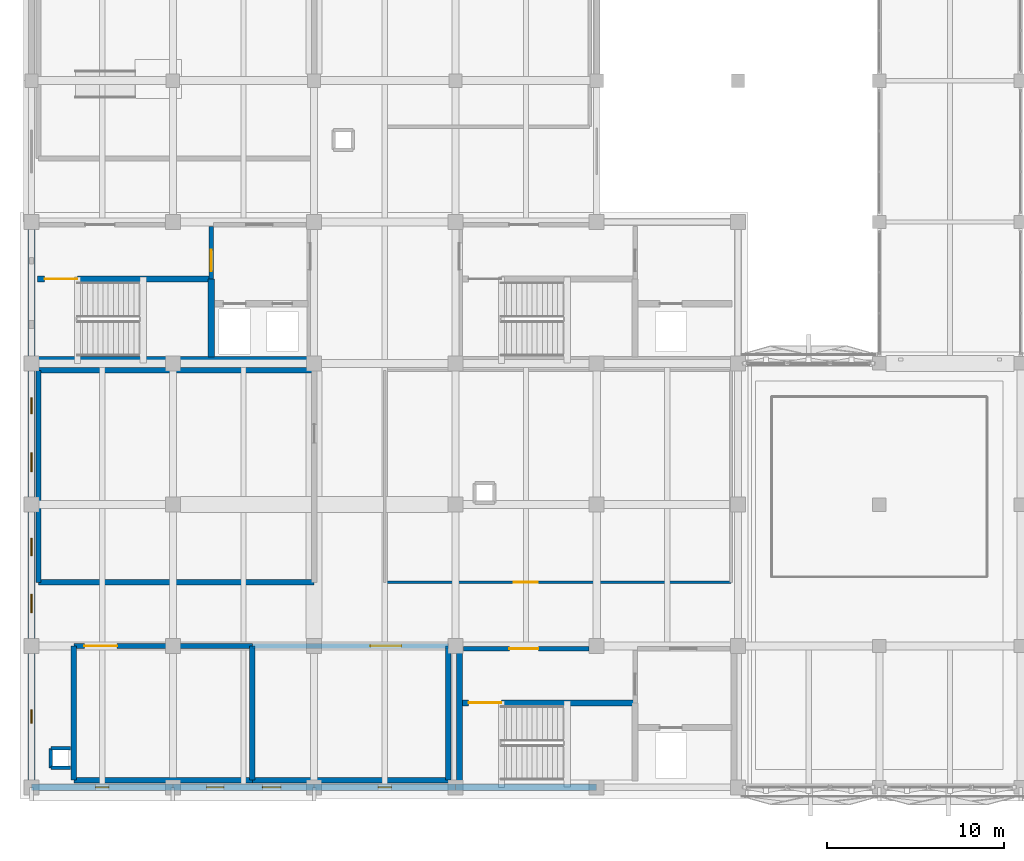
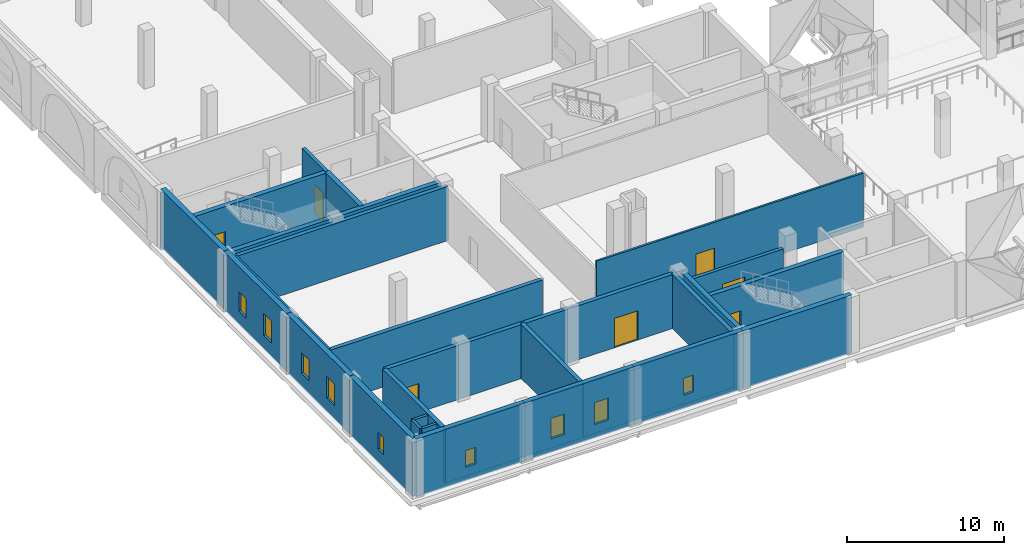
# One storey, part 27 of 53: 29 walls, 9 windows, 7 doors, 16 openings.
"""IFC4 building model written with IfcOpenShell, lengths in metres."""

from ifc_helpers import new_model, si_unit, direction, frame, frame_2d, origin, place, context, subcontext, project, spatial, rectangle, extrude, material, layer, layer_set, type_object, element, fill, save


model = new_model("IFC4")

# Units and contexts
model_context = context("Model", 3, precision=1e-05, world=origin(), true_north=direction((0.0, 1.0)))
body_context = subcontext(model_context, "Body", "Model", "MODEL_VIEW")
ifc_project = project(units=[si_unit("LENGTHUNIT", "METRE"), si_unit("AREAUNIT", "SQUARE_METRE"), si_unit("VOLUMEUNIT", "CUBIC_METRE"), si_unit("PLANEANGLEUNIT", "RADIAN"), si_unit("MASSUNIT", "GRAM", prefix="KILO")], contexts=[model_context])

# Site, building, storey
site_placement = place(None, origin())
site = spatial("IfcSite", under=ifc_project, at=site_placement, CompositionType="ELEMENT")
building_placement = place(site_placement, origin())
building = spatial("IfcBuilding", under=site, at=building_placement, Name="Qorikala Patio Media Centre", CompositionType="ELEMENT")
storey_placement = place(building_placement, frame((0.0, 0.0, 5.39990234375)))
storey = spatial("IfcBuildingStorey", under=building, at=storey_placement, Name="L01", CompositionType="ELEMENT", Elevation=5.39990234375)

# Walls
ifc_material_1 = material(Name="Concrete C35/45", Category="concrete")
ifc_layer_1 = layer(ifc_material_1, 0.300048828125)
ifc_layer_set_1 = layer_set([ifc_layer_1], Name="Concrete C35/45")
wall_type_1 = type_object("IfcWallType", Name="WL-AC-300", PredefinedType="SHEAR", material=ifc_layer_set_1)
wall_1_placement = place(storey_placement, frame((5.39990234375, 3.39990234375, 0.0), z_axis=(0.0, 0.0, 1.0), x_axis=(1.0, 0.0, 0.0)))
element("IfcWall", 1, at=wall_1_placement, inside=storey, type_object=wall_type_1, Name="L01 Interior Wall WINT-L01-UTR1-S", PredefinedType="SHEAR", context=body_context, shape_type="SweptSolid", body=[
    extrude(rectangle(XDim=10.10009765625, YDim=0.300048828125, at=frame_2d((5.050048828125, 0.0))), origin(), (0.0, 0.0, 1.0), 4.2001953125),
])
wall_2_placement = place(storey_placement, frame((15.5, 3.39990234375, 0.0), z_axis=(0.0, 0.0, 1.0), x_axis=(0.0, 1.0, 0.0)))
element("IfcWall", 2, at=wall_2_placement, inside=storey, type_object=wall_type_1, Name="L01 Interior Wall WINT-L01-UTR1-E", PredefinedType="SHEAR", context=body_context, shape_type="SweptSolid", body=[
    extrude(rectangle(XDim=7.60009765625, YDim=0.300048828125, at=frame_2d((3.800048828125, 0.0))), origin(), (0.0, 0.0, 1.0), 4.2001953125),
])

# Wall, opening, door
wall_3_placement = place(storey_placement, frame((5.39990234375, 11.0, 0.0), z_axis=(0.0, 0.0, 1.0), x_axis=(1.0, 0.0, 0.0)))
wall_3 = element("IfcWall", 3, at=wall_3_placement, inside=storey, type_object=wall_type_1, Name="L01 Interior Wall WINT-L01-UTR1-N", PredefinedType="SHEAR", context=body_context, shape_type="SweptSolid", body=[
    extrude(rectangle(XDim=10.10009765625, YDim=0.300048828125, at=frame_2d((5.050048828125, 0.0))), origin(), (0.0, 0.0, 1.0), 4.2001953125),
])
opening_1_placement = place(wall_3_placement, frame((0.60107421875, 0.0, 0.0)))
opening_1 = element("IfcOpeningElement", 4, at=opening_1_placement, cuts=wall_3, Name="Opening D249", PredefinedType="OPENING", context=body_context, shape_type="SweptSolid", body=[
    extrude(rectangle(XDim=1.85009765625, YDim=2.25, at=frame_2d((0.925048828125, 1.125))), frame((0.0, 0.159912109375, 0.0), z_axis=(0.0, -1.0, 0.0), x_axis=(1.0, 0.0, 0.0)), (0.0, 0.0, 1.0), 0.320068359375),
])
ifc_material_2 = material(Name="Powder-Coated Acoustic Fire Steel", Category="steel")
door_type_1 = type_object("IfcDoorType", Name="DR-FD60-185X225", OperationType="DOUBLE_DOOR_SINGLE_SWING", PredefinedType="DOOR", material=ifc_material_2)
door_1_placement = place(opening_1_placement, origin())
door_1 = element("IfcDoor", 5, at=door_1_placement, inside=storey, type_object=door_type_1, Name="Screen 1 Upper Seating Tier Door 038", OperationType="DOUBLE_DOOR_SINGLE_SWING", OverallHeight=2.25, OverallWidth=1.85009765625, PredefinedType="DOOR", context=body_context, shape_type="SweptSolid", body=[
    extrude(rectangle(XDim=1.85009765625, YDim=2.25, at=frame_2d((0.925048828125, 1.125))), frame((0.0, 0.02490234375, 0.0), z_axis=(0.0, -1.0, 0.0), x_axis=(1.0, 0.0, 0.0)), (0.0, 0.0, 1.0), 0.050048828125),
])
fill(opening_1, door_1)

# Walls
wall_4_placement = place(storey_placement, frame((5.39990234375, 3.39990234375, 0.0), z_axis=(0.0, 0.0, 1.0), x_axis=(0.0, 1.0, 0.0)))
element("IfcWall", 6, at=wall_4_placement, inside=storey, type_object=wall_type_1, Name="L01 Interior Wall WINT-L01-UTR1-W", PredefinedType="SHEAR", context=body_context, shape_type="SweptSolid", body=[
    extrude(rectangle(XDim=7.60009765625, YDim=0.300048828125, at=frame_2d((3.800048828125, 0.0))), origin(), (0.0, 0.0, 1.0), 4.2001953125),
])
wall_5_placement = place(storey_placement, frame((15.5, 3.39990234375, 0.0), z_axis=(0.0, 0.0, 1.0), x_axis=(1.0, 0.0, 0.0)))
element("IfcWall", 7, at=wall_5_placement, inside=storey, type_object=wall_type_1, Name="L01 Interior Wall WINT-L01-UTR2-S", PredefinedType="SHEAR", context=body_context, shape_type="SweptSolid", body=[
    extrude(rectangle(XDim=11.10009765625, YDim=0.300048828125, at=frame_2d((5.550048828125, 0.0))), origin(), (0.0, 0.0, 1.0), 4.2001953125),
])
wall_6_placement = place(storey_placement, frame((26.60009765625, 3.39990234375, 0.0), z_axis=(0.0, 0.0, 1.0), x_axis=(0.0, 1.0, 0.0)))
element("IfcWall", 8, at=wall_6_placement, inside=storey, type_object=wall_type_1, Name="L01 Interior Wall WINT-L01-UTR2-E", PredefinedType="SHEAR", context=body_context, shape_type="SweptSolid", body=[
    extrude(rectangle(XDim=7.60009765625, YDim=0.300048828125, at=frame_2d((3.800048828125, 0.0))), origin(), (0.0, 0.0, 1.0), 4.2001953125),
])

# Wall, opening, door
wall_7_placement = place(storey_placement, frame((15.5, 11.0, 0.0), z_axis=(0.0, 0.0, 1.0), x_axis=(1.0, 0.0, 0.0)))
wall_7 = element("IfcWall", 9, at=wall_7_placement, inside=storey, type_object=wall_type_1, Name="L01 Interior Wall WINT-L01-UTR2-N", PredefinedType="SHEAR", context=body_context, shape_type="SweptSolid", body=[
    extrude(rectangle(XDim=11.10009765625, YDim=0.300048828125, at=frame_2d((5.550048828125, 0.0))), origin(), (0.0, 0.0, 1.0), 4.2001953125),
])
opening_2_placement = place(wall_7_placement, frame((6.68701171875, 0.0, 0.0)))
opening_2 = element("IfcOpeningElement", 10, at=opening_2_placement, cuts=wall_7, Name="Opening D250", PredefinedType="OPENING", context=body_context, shape_type="SweptSolid", body=[
    extrude(rectangle(XDim=1.75, YDim=2.280029296875, at=frame_2d((0.875, 1.14013671875))), frame((0.0, 0.159912109375, 0.0), z_axis=(0.0, -1.0, 0.0), x_axis=(1.0, 0.0, 0.0)), (0.0, 0.0, 1.0), 0.320068359375),
])
door_type_2 = type_object("IfcDoorType", Name="DR-FD60-175X228", OperationType="DOUBLE_DOOR_SINGLE_SWING", PredefinedType="DOOR", material=ifc_material_2)
door_2_placement = place(opening_2_placement, origin())
door_2 = element("IfcDoor", 11, at=door_2_placement, inside=storey, type_object=door_type_2, Name="Screen 2 Upper Seating Tier Door 039", OperationType="DOUBLE_DOOR_SINGLE_SWING", OverallHeight=2.280029296875, OverallWidth=1.75, PredefinedType="DOOR", context=body_context, shape_type="SweptSolid", body=[
    extrude(rectangle(XDim=1.75, YDim=2.280029296875, at=frame_2d((0.875, 1.14013671875))), frame((0.0, 0.02490234375, 0.0), z_axis=(0.0, -1.0, 0.0), x_axis=(1.0, 0.0, 0.0)), (0.0, 0.0, 1.0), 0.050048828125),
])
fill(opening_2, door_2)

# Walls
for number, where, z_axis, x_axis, name in (
    (12, (3.39990234375, 14.60009765625, 0.0), (0.0, 0.0, 1.0), (1.0, 0.0, 0.0), "L01 Interior Wall WINT-L01-PRJ1-S"),
    (13, (3.39990234375, 26.60009765625, 0.0), (0.0, 0.0, 1.0), (1.0, 0.0, 0.0), "L01 Interior Wall WINT-L01-PRJ1-N"),
):
    element("IfcWall", number, at=place(storey_placement, frame(where, z_axis=z_axis, x_axis=x_axis)), inside=storey, type_object=wall_type_1, Name=name, PredefinedType="SHEAR", context=body_context, shape_type="SweptSolid", body=[
        extrude(rectangle(XDim=15.60009765625, YDim=0.300048828125, at=frame_2d((7.800048828125, 0.0))), origin(), (0.0, 0.0, 1.0), 4.2001953125),
    ])
wall_8_placement = place(storey_placement, frame((3.39990234375, 14.60009765625, 0.0), z_axis=(0.0, 0.0, 1.0), x_axis=(0.0, 1.0, 0.0)))
element("IfcWall", 14, at=wall_8_placement, inside=storey, type_object=wall_type_1, Name="L01 Interior Wall WINT-L01-PRJ1-W", PredefinedType="SHEAR", context=body_context, shape_type="SweptSolid", body=[
    extrude(rectangle(XDim=12.0, YDim=0.300048828125, at=frame_2d((6.0, 0.0))), origin(), (0.0, 0.0, 1.0), 4.2001953125),
])
ifc_layer_2 = layer(ifc_material_1, 0.35009765625)
ifc_layer_set_2 = layer_set([ifc_layer_2], Name="Concrete C35/45")
wall_type_2 = type_object("IfcWallType", Name="WL-CORE-350", PredefinedType="SHEAR", material=ifc_layer_set_2)
wall_9_placement = place(storey_placement, frame((27.22509765625, 3.199951171875, 0.0), z_axis=(0.0, 0.0, 1.0), x_axis=(0.0, 1.0, 0.0)))
element("IfcWall", 15, at=wall_9_placement, inside=storey, type_object=wall_type_2, Name="L01 Interior Wall CW-L01-C1-SW", PredefinedType="SHEAR", context=body_context, shape_type="SweptSolid", body=[
    extrude(rectangle(XDim=7.60009765625, YDim=0.35009765625, at=frame_2d((3.800048828125, 0.0))), origin(), (0.0, 0.0, 1.0), 4.2001953125),
])

# Wall, opening, door
wall_10_placement = place(storey_placement, frame((27.35009765625, 7.77490234375, 0.0), z_axis=(0.0, 0.0, 1.0), x_axis=(1.0, 0.0, 0.0)))
wall_10 = element("IfcWall", 16, at=wall_10_placement, inside=storey, type_object=wall_type_2, Name="L01 Interior Wall CW-L01-C1-SN", PredefinedType="SHEAR", context=body_context, shape_type="SweptSolid", body=[
    extrude(rectangle(XDim=9.824951171875, YDim=0.35009765625, at=frame_2d((4.91259765625, 0.0))), origin(), (0.0, 0.0, 1.0), 4.2001953125),
])
opening_3_placement = place(wall_10_placement, frame((0.39990234375, 0.0, 0.0)))
opening_3 = element("IfcOpeningElement", 17, at=opening_3_placement, cuts=wall_10, Name="Opening D031", PredefinedType="OPENING", context=body_context, shape_type="SweptSolid", body=[
    extrude(rectangle(XDim=1.85009765625, YDim=2.25, at=frame_2d((0.925048828125, 1.125))), frame((0.0, 0.18505859375, 0.0), z_axis=(0.0, -1.0, 0.0), x_axis=(1.0, 0.0, 0.0)), (0.0, 0.0, 1.0), 0.3701171875),
])
door_3_placement = place(opening_3_placement, origin())
door_3 = element("IfcDoor", 18, at=door_3_placement, inside=storey, type_object=door_type_1, Name="L01 Stair ST-1 Fire Door", OperationType="DOUBLE_DOOR_SINGLE_SWING", OverallHeight=2.25, OverallWidth=1.85009765625, PredefinedType="DOOR", context=body_context, shape_type="SweptSolid", body=[
    extrude(rectangle(XDim=1.85009765625, YDim=2.25, at=frame_2d((0.925048828125, 1.125))), frame((0.0, 0.02490234375, 0.0), z_axis=(0.0, -1.0, 0.0), x_axis=(1.0, 0.0, 0.0)), (0.0, 0.0, 1.0), 0.050048828125),
])
fill(opening_3, door_3)

# Walls
wall_11_placement = place(storey_placement, frame((3.199951171875, 27.22509765625, 0.0), z_axis=(0.0, 0.0, 1.0), x_axis=(1.0, 0.0, 0.0)))
element("IfcWall", 19, at=wall_11_placement, inside=storey, type_object=wall_type_2, Name="L01 Core C2 Stair South Wall", PredefinedType="SHEAR", context=body_context, shape_type="SweptSolid", body=[
    extrude(rectangle(XDim=15.60009765625, YDim=0.35009765625, at=frame_2d((7.800048828125, 0.0))), origin(), (0.0, 0.0, 1.0), 4.2001953125),
])
wall_12_placement = place(storey_placement, frame((13.175048828125, 27.35009765625, 0.0), z_axis=(0.0, 0.0, 1.0), x_axis=(0.0, 1.0, 0.0)))
element("IfcWall", 20, at=wall_12_placement, inside=storey, type_object=wall_type_2, Name="L01 Interior Wall CW-L01-C2-SE", PredefinedType="SHEAR", context=body_context, shape_type="SweptSolid", body=[
    extrude(rectangle(XDim=4.4248046875, YDim=0.35009765625, at=frame_2d((2.21240234375, 0.0))), origin(), (0.0, 0.0, 1.0), 4.2001953125),
])

# Wall, opening, door
wall_13_placement = place(storey_placement, frame((3.35009765625, 31.77490234375, 0.0), z_axis=(0.0, 0.0, 1.0), x_axis=(1.0, 0.0, 0.0)))
wall_13 = element("IfcWall", 21, at=wall_13_placement, inside=storey, type_object=wall_type_2, Name="L01 Interior Wall CW-L01-C2-SN", PredefinedType="SHEAR", context=body_context, shape_type="SweptSolid", body=[
    extrude(rectangle(XDim=9.824951171875, YDim=0.35009765625, at=frame_2d((4.91259765625, 0.0))), origin(), (0.0, 0.0, 1.0), 4.2001953125),
])
opening_4_placement = place(wall_13_placement, frame((0.39990234375, 0.0, 0.0)))
opening_4 = element("IfcOpeningElement", 22, at=opening_4_placement, cuts=wall_13, Name="Opening D065", PredefinedType="OPENING", context=body_context, shape_type="SweptSolid", body=[
    extrude(rectangle(XDim=1.85009765625, YDim=2.25, at=frame_2d((0.925048828125, 1.125))), frame((0.0, 0.18505859375, 0.0), z_axis=(0.0, -1.0, 0.0), x_axis=(1.0, 0.0, 0.0)), (0.0, 0.0, 1.0), 0.3701171875),
])
door_4_placement = place(opening_4_placement, origin())
door_4 = element("IfcDoor", 23, at=door_4_placement, inside=storey, type_object=door_type_1, Name="L01 Stair ST-2 Fire Door", OperationType="DOUBLE_DOOR_SINGLE_SWING", OverallHeight=2.25, OverallWidth=1.85009765625, PredefinedType="DOOR", context=body_context, shape_type="SweptSolid", body=[
    extrude(rectangle(XDim=1.85009765625, YDim=2.25, at=frame_2d((0.925048828125, 1.125))), frame((0.0, 0.02490234375, 0.0), z_axis=(0.0, -1.0, 0.0), x_axis=(1.0, 0.0, 0.0)), (0.0, 0.0, 1.0), 0.050048828125),
])
fill(opening_4, door_4)

ifc_layer_3 = layer(ifc_material_1, 0.25)
ifc_layer_set_3 = layer_set([ifc_layer_3], Name="Concrete C35/45")
wall_type_3 = type_object("IfcWallType", Name="WL-FFL-250", PredefinedType="PARTITIONING", material=ifc_layer_set_3)
wall_14_placement = place(storey_placement, frame((27.449951171875, 10.85009765625, 0.0), z_axis=(0.0, 0.0, 1.0), x_axis=(1.0, 0.0, 0.0)))
wall_14 = element("IfcWall", 24, at=wall_14_placement, inside=storey, type_object=wall_type_3, Name="L01 Interior Wall CW-L01-C1-CN1", PredefinedType="PARTITIONING", context=body_context, shape_type="SweptSolid", body=[
    extrude(rectangle(XDim=7.10009765625, YDim=0.25, at=frame_2d((3.550048828125, 0.0))), origin(), (0.0, 0.0, 1.0), 3.43505859375),
])
opening_5_placement = place(wall_14_placement, frame((2.60009765625, 0.0, 0.0)))
opening_5 = element("IfcOpeningElement", 25, at=opening_5_placement, cuts=wall_14, Name="Opening D033", PredefinedType="OPENING", context=body_context, shape_type="SweptSolid", body=[
    extrude(rectangle(XDim=1.64990234375, YDim=2.25, at=frame_2d((0.824951171875, 1.125))), frame((0.0, 0.135009765625, 0.0), z_axis=(0.0, -1.0, 0.0), x_axis=(1.0, 0.0, 0.0)), (0.0, 0.0, 1.0), 0.27001953125),
])
door_type_3 = type_object("IfcDoorType", Name="DR-FD60-165X225", OperationType="DOUBLE_DOOR_SINGLE_SWING", PredefinedType="DOOR", material=ifc_material_2)
door_5_placement = place(opening_5_placement, frame((1.64990234375, 0.0, 0.0), z_axis=(0.0, 0.0, 1.0), x_axis=(-1.0, 0.0, 0.0)))
door_5 = element("IfcDoor", 26, at=door_5_placement, inside=storey, type_object=door_type_3, Name="L01 Core C1 Vestibule Door", OperationType="DOUBLE_DOOR_SINGLE_SWING", OverallHeight=2.25, OverallWidth=1.64990234375, PredefinedType="DOOR", context=body_context, shape_type="SweptSolid", body=[
    extrude(rectangle(XDim=1.64990234375, YDim=2.25, at=frame_2d((0.824951171875, 1.125))), frame((0.0, 0.02490234375, 0.0), z_axis=(0.0, -1.0, 0.0), x_axis=(1.0, 0.0, 0.0)), (0.0, 0.0, 1.0), 0.050048828125),
])
fill(opening_5, door_5)

wall_15_placement = place(storey_placement, frame((13.175048828125, 31.77490234375, 0.0), z_axis=(0.0, 0.0, 1.0), x_axis=(0.0, 1.0, 0.0)))
wall_15 = element("IfcWall", 27, at=wall_15_placement, inside=storey, type_object=wall_type_3, Name="L01 Interior Wall CW-L01-C2-LBD", PredefinedType="PARTITIONING", context=body_context, shape_type="SweptSolid", body=[
    extrude(rectangle(XDim=2.97509765625, YDim=0.25, at=frame_2d((1.487548828125, 0.0))), origin(), (0.0, 0.0, 1.0), 4.2001953125),
])
opening_6_placement = place(wall_15_placement, frame((0.449951171875, 0.0, 0.0)))
opening_6 = element("IfcOpeningElement", 28, at=opening_6_placement, cuts=wall_15, Name="Opening D066", PredefinedType="OPENING", context=body_context, shape_type="SweptSolid", body=[
    extrude(rectangle(XDim=1.199951171875, YDim=2.199951171875, at=frame_2d((0.60009765625, 1.10009765625))), frame((0.0, 0.135009765625, 0.0), z_axis=(0.0, -1.0, 0.0), x_axis=(1.0, 0.0, 0.0)), (0.0, 0.0, 1.0), 0.27001953125),
])
ifc_material_3 = material(Name="Acoustic Fire Timber and Steel", Category="steel")
door_type_4 = type_object("IfcDoorType", Name="DR-FD60-120X220", OperationType="NOTDEFINED", PredefinedType="DOOR", material=ifc_material_3)
door_6_placement = place(opening_6_placement, origin())
door_6 = element("IfcDoor", 29, at=door_6_placement, inside=storey, type_object=door_type_4, Name="L01 Core C2 Firefighting Lobby Cross Door", OperationType="SINGLE_SWING_LEFT", OverallHeight=2.199951171875, OverallWidth=1.199951171875, PredefinedType="DOOR", context=body_context, shape_type="SweptSolid", body=[
    extrude(rectangle(XDim=1.199951171875, YDim=2.199951171875, at=frame_2d((0.60009765625, 1.10009765625))), frame((0.0, 0.02490234375, 0.0), z_axis=(0.0, -1.0, 0.0), x_axis=(1.0, 0.0, 0.0)), (0.0, 0.0, 1.0), 0.050048828125),
])
fill(opening_6, door_6)

ifc_material_4 = material(Name="Acoustic Gypsum Stud Partition")
ifc_layer_4 = layer(ifc_material_4, 0.14990234375)
ifc_layer_set_4 = layer_set([ifc_layer_4], Name="Acoustic Gypsum Stud Partition")
wall_type_4 = type_object("IfcWallType", Name="WL-PT-150", PredefinedType="PARTITIONING", material=ifc_layer_set_4)
wall_16_placement = place(storey_placement, frame((23.0, 14.60009765625, 0.0), z_axis=(0.0, 0.0, 1.0), x_axis=(1.0, 0.0, 0.0)))
wall_16 = element("IfcWall", 30, at=wall_16_placement, inside=storey, type_object=wall_type_4, Name="L01 Interior Wall WINT-L01-ED10-S", PredefinedType="PARTITIONING", context=body_context, shape_type="SweptSolid", body=[
    extrude(rectangle(XDim=19.60009765625, YDim=0.14990234375, at=frame_2d((9.800048828125, 0.0))), origin(), (0.0, 0.0, 1.0), 4.2001953125),
])
opening_7_placement = place(wall_16_placement, frame((7.31494140625, 0.0, 0.0)))
opening_7 = element("IfcOpeningElement", 31, at=opening_7_placement, cuts=wall_16, Name="Opening D252", PredefinedType="OPENING", context=body_context, shape_type="SweptSolid", body=[
    extrude(rectangle(XDim=1.35009765625, YDim=2.199951171875, at=frame_2d((0.675048828125, 1.10009765625))), frame((0.0, 0.0849609375, 0.0), z_axis=(0.0, -1.0, 0.0), x_axis=(1.0, 0.0, 0.0)), (0.0, 0.0, 1.0), 0.169921875),
])
ifc_material_5 = material(Name="Acoustic Oak Veneer Timber", Category="wood")
door_type_5 = type_object("IfcDoorType", Name="DR-IN-135X220", OperationType="NOTDEFINED", PredefinedType="DOOR", material=ifc_material_5)
door_7_placement = place(opening_7_placement, origin())
door_7 = element("IfcDoor", 32, at=door_7_placement, inside=storey, type_object=door_type_5, Name="Editing Suite 100 Door 041", OperationType="SINGLE_SWING_LEFT", OverallHeight=2.199951171875, OverallWidth=1.35009765625, PredefinedType="DOOR", context=body_context, shape_type="SweptSolid", body=[
    extrude(rectangle(XDim=1.35009765625, YDim=2.199951171875, at=frame_2d((0.675048828125, 1.10009765625))), frame((0.0, 0.02490234375, 0.0), z_axis=(0.0, -1.0, 0.0), x_axis=(1.0, 0.0, 0.0)), (0.0, 0.0, 1.0), 0.050048828125),
])
fill(opening_7, door_7)

# Walls
ifc_material_6 = material(Name="Acoustic Masonry and Plaster Concrete C30/37", Category="masonry")
ifc_layer_5 = layer(ifc_material_6, 0.199951171875)
ifc_layer_set_5 = layer_set([ifc_layer_5], Name="Acoustic Masonry and Plaster Concrete C30/37")
wall_type_5 = type_object("IfcWallType", Name="WL-ST-200", PredefinedType="PARTITIONING", material=ifc_layer_set_5)
for number, where, z_axis, x_axis, name in (
    (33, (4.10009765625, 4.10009765625, 0.0), (0.0, 0.0, 1.0), (1.0, 0.0, 0.0), "L01 Interior Wall RSW-1-L01-S"),
    (34, (4.10009765625, 5.199951171875, 0.0), (0.0, 0.0, 1.0), (1.0, 0.0, 0.0), "L01 Interior Wall RSW-1-L01-N"),
    (35, (4.10009765625, 4.10009765625, 0.0), (0.0, 0.0, 1.0), (0.0, 1.0, 0.0), "L01 Interior Wall RSW-1-L01-W"),
):
    element("IfcWall", number, at=place(storey_placement, frame(where, z_axis=z_axis, x_axis=x_axis)), inside=storey, type_object=wall_type_5, Name=name, PredefinedType="PARTITIONING", context=body_context, shape_type="SweptSolid", body=[
        extrude(rectangle(XDim=1.099853515625, YDim=0.199951171875, at=frame_2d((0.5498046875, 0.0))), origin(), (0.0, 0.0, 1.0), 4.2001953125),
    ])
ifc_material_7 = material(Name="Comanche Granite and Concrete C35/45", Category="masonry")
ifc_layer_6 = layer(ifc_material_7, 0.3798828125)
ifc_layer_set_6 = layer_set([ifc_layer_6], Name="Comanche Granite and Concrete C35/45")
wall_type_6 = type_object("IfcWallType", Name="WL-STONE-380", PredefinedType="SOLIDWALL", material=ifc_layer_set_6)
wall_17_placement = place(storey_placement, frame((35.0, 3.0, 0.0), z_axis=(0.0, 0.0, 1.0), x_axis=(-1.0, 0.0, 0.0)))
element("IfcWall", 36, at=wall_17_placement, inside=storey, type_object=wall_type_6, Name="L01 Core C1 Exterior Shear Wall", PredefinedType="SOLIDWALL", context=body_context, shape_type="SweptSolid", body=[
    extrude(rectangle(XDim=8.0, YDim=0.3798828125, at=frame_2d((4.0, 0.0))), origin(), (0.0, 0.0, 1.0), 4.5),
])

# Wall, opening, window
wall_18_placement = place(storey_placement, frame((27.0, 3.0, 0.0), z_axis=(0.0, 0.0, 1.0), x_axis=(-1.0, 0.0, 0.0)))
wall_18 = element("IfcWall", 37, at=wall_18_placement, inside=storey, type_object=wall_type_6, Name="L01 Exterior Wall WL-L01-EXT-0003", PredefinedType="SOLIDWALL", context=body_context, shape_type="SweptSolid", body=[
    extrude(rectangle(XDim=8.0, YDim=0.3798828125, at=frame_2d((4.0, 0.0))), origin(), (0.0, 0.0, 1.0), 4.5),
])
opening_8_placement = place(wall_18_placement, frame((3.625, 0.0, 1.050048828125)))
opening_8 = element("IfcOpeningElement", 38, at=opening_8_placement, cuts=wall_18, Name="Opening WG-075", PredefinedType="OPENING", context=body_context, shape_type="SweptSolid", body=[
    extrude(rectangle(XDim=0.75, YDim=1.300048828125, at=frame_2d((0.375, 0.64990234375))), frame((0.0, 0.199951171875, 0.0), z_axis=(0.0, -1.0, 0.0), x_axis=(1.0, 0.0, 0.0)), (0.0, 0.0, 1.0), 0.39990234375),
])
ifc_material_8 = material(Name="Bronze Anodised Aluminium and Low-E Glass", Category="aluminium")
window_type_1 = type_object("IfcWindowType", Name="WN-GRAD-075X130", PartitioningType="SINGLE_PANEL", PredefinedType="WINDOW", material=ifc_material_8)
window_1_placement = place(opening_8_placement, origin())
window_1 = element("IfcWindow", 39, at=window_1_placement, inside=storey, type_object=window_type_1, Name="L01 Graduated Stone Window 0063", OverallHeight=1.300048828125, OverallWidth=0.75, PartitioningType="SINGLE_PANEL", PredefinedType="WINDOW", context=body_context, shape_type="SweptSolid", body=[
    extrude(rectangle(XDim=0.75, YDim=1.300048828125, at=frame_2d((0.375, 0.64990234375))), frame((0.0, 0.030029296875, 0.0), z_axis=(0.0, -1.0, 0.0), x_axis=(1.0, 0.0, 0.0)), (0.0, 0.0, 1.0), 0.06005859375),
])
fill(opening_8, window_1)

# Wall, openings, windows
wall_19_placement = place(storey_placement, frame((19.0, 3.0, 0.0), z_axis=(0.0, 0.0, 1.0), x_axis=(-1.0, 0.0, 0.0)))
wall_19 = element("IfcWall", 40, at=wall_19_placement, inside=storey, type_object=wall_type_6, Name="L01 Exterior Wall WL-L01-EXT-0004", PredefinedType="SOLIDWALL", context=body_context, shape_type="SweptSolid", body=[
    extrude(rectangle(XDim=8.0, YDim=0.3798828125, at=frame_2d((4.0, 0.0))), origin(), (0.0, 0.0, 1.0), 4.5),
])
opening_9_placement = place(wall_19_placement, frame((1.875, 0.0, 1.050048828125)))
opening_9 = element("IfcOpeningElement", 41, at=opening_9_placement, cuts=wall_19, Name="Opening WG-105", PredefinedType="OPENING", context=body_context, shape_type="SweptSolid", body=[
    extrude(rectangle(XDim=1.050048828125, YDim=1.699951171875, at=frame_2d((0.52490234375, 0.85009765625))), frame((0.0, 0.199951171875, 0.0), z_axis=(0.0, -1.0, 0.0), x_axis=(1.0, 0.0, 0.0)), (0.0, 0.0, 1.0), 0.39990234375),
])
opening_10_placement = place(wall_19_placement, frame((5.110107421875, 0.0, 1.050048828125)))
opening_10 = element("IfcOpeningElement", 42, at=opening_10_placement, cuts=wall_19, Name="Opening WG-098", PredefinedType="OPENING", context=body_context, shape_type="SweptSolid", body=[
    extrude(rectangle(XDim=0.97998046875, YDim=1.60009765625, at=frame_2d((0.489990234375, 0.800048828125))), frame((0.0, 0.199951171875, 0.0), z_axis=(0.0, -1.0, 0.0), x_axis=(1.0, 0.0, 0.0)), (0.0, 0.0, 1.0), 0.39990234375),
])
window_type_2 = type_object("IfcWindowType", Name="WN-GRAD-098X160", PartitioningType="SINGLE_PANEL", PredefinedType="WINDOW", material=ifc_material_8)
window_2_placement = place(opening_10_placement, origin())
window_2 = element("IfcWindow", 43, at=window_2_placement, inside=storey, type_object=window_type_2, Name="L01 Graduated Stone Window 0065", OverallHeight=1.60009765625, OverallWidth=0.97998046875, PartitioningType="SINGLE_PANEL", PredefinedType="WINDOW", context=body_context, shape_type="SweptSolid", body=[
    extrude(rectangle(XDim=0.97998046875, YDim=1.60009765625, at=frame_2d((0.489990234375, 0.800048828125))), frame((0.0, 0.030029296875, 0.0), z_axis=(0.0, -1.0, 0.0), x_axis=(1.0, 0.0, 0.0)), (0.0, 0.0, 1.0), 0.06005859375),
])
fill(opening_10, window_2)
window_type_3 = type_object("IfcWindowType", Name="WN-GRAD-105X170", PartitioningType="SINGLE_PANEL", PredefinedType="WINDOW", material=ifc_material_8)
window_3_placement = place(opening_9_placement, origin())
window_3 = element("IfcWindow", 44, at=window_3_placement, inside=storey, type_object=window_type_3, Name="L01 Graduated Stone Window 0064", OverallHeight=1.699951171875, OverallWidth=1.050048828125, PartitioningType="SINGLE_PANEL", PredefinedType="WINDOW", context=body_context, shape_type="SweptSolid", body=[
    extrude(rectangle(XDim=1.050048828125, YDim=1.699951171875, at=frame_2d((0.52490234375, 0.85009765625))), frame((0.0, 0.030029296875, 0.0), z_axis=(0.0, -1.0, 0.0), x_axis=(1.0, 0.0, 0.0)), (0.0, 0.0, 1.0), 0.06005859375),
])
fill(opening_9, window_3)

# Wall, opening, window
wall_20_placement = place(storey_placement, frame((11.0, 3.0, 0.0), z_axis=(0.0, 0.0, 1.0), x_axis=(-1.0, 0.0, 0.0)))
wall_20 = element("IfcWall", 45, at=wall_20_placement, inside=storey, type_object=wall_type_6, Name="L01 Exterior Wall WL-L01-EXT-0005", PredefinedType="SOLIDWALL", context=body_context, shape_type="SweptSolid", body=[
    extrude(rectangle(XDim=8.0, YDim=0.3798828125, at=frame_2d((4.0, 0.0))), origin(), (0.0, 0.0, 1.0), 4.5),
])
opening_11_placement = place(wall_20_placement, frame((3.625, 0.0, 1.050048828125)))
opening_11 = element("IfcOpeningElement", 46, at=opening_11_placement, cuts=wall_20, Name="Opening WG-075", PredefinedType="OPENING", context=body_context, shape_type="SweptSolid", body=[
    extrude(rectangle(XDim=0.75, YDim=1.300048828125, at=frame_2d((0.375, 0.64990234375))), frame((0.0, 0.199951171875, 0.0), z_axis=(0.0, -1.0, 0.0), x_axis=(1.0, 0.0, 0.0)), (0.0, 0.0, 1.0), 0.39990234375),
])
window_4_placement = place(opening_11_placement, origin())
window_4 = element("IfcWindow", 47, at=window_4_placement, inside=storey, type_object=window_type_1, Name="L01 Graduated Stone Window 0066", OverallHeight=1.300048828125, OverallWidth=0.75, PartitioningType="SINGLE_PANEL", PredefinedType="WINDOW", context=body_context, shape_type="SweptSolid", body=[
    extrude(rectangle(XDim=0.75, YDim=1.300048828125, at=frame_2d((0.375, 0.64990234375))), frame((0.0, 0.030029296875, 0.0), z_axis=(0.0, -1.0, 0.0), x_axis=(1.0, 0.0, 0.0)), (0.0, 0.0, 1.0), 0.06005859375),
])
fill(opening_11, window_4)

wall_21_placement = place(storey_placement, frame((3.0, 3.0, 0.0), z_axis=(0.0, 0.0, 1.0), x_axis=(0.0, 1.0, 0.0)))
wall_21 = element("IfcWall", 48, at=wall_21_placement, inside=storey, type_object=wall_type_6, Name="L01 Exterior Wall WL-L01-EXT-0006", PredefinedType="SOLIDWALL", context=body_context, shape_type="SweptSolid", body=[
    extrude(rectangle(XDim=8.0, YDim=0.3798828125, at=frame_2d((4.0, 0.0))), origin(), (0.0, 0.0, 1.0), 4.5),
])
opening_12_placement = place(wall_21_placement, frame((3.625, 0.0, 1.050048828125)))
opening_12 = element("IfcOpeningElement", 49, at=opening_12_placement, cuts=wall_21, Name="Opening WG-075", PredefinedType="OPENING", context=body_context, shape_type="SweptSolid", body=[
    extrude(rectangle(XDim=0.75, YDim=1.300048828125, at=frame_2d((0.375, 0.64990234375))), frame((0.0, 0.199951171875, 0.0), z_axis=(0.0, -1.0, 0.0), x_axis=(1.0, 0.0, 0.0)), (0.0, 0.0, 1.0), 0.39990234375),
])
window_5_placement = place(opening_12_placement, origin())
window_5 = element("IfcWindow", 50, at=window_5_placement, inside=storey, type_object=window_type_1, Name="L01 Graduated Stone Window 0067", OverallHeight=1.300048828125, OverallWidth=0.75, PartitioningType="SINGLE_PANEL", PredefinedType="WINDOW", context=body_context, shape_type="SweptSolid", body=[
    extrude(rectangle(XDim=0.75, YDim=1.300048828125, at=frame_2d((0.375, 0.64990234375))), frame((0.0, 0.030029296875, 0.0), z_axis=(0.0, -1.0, 0.0), x_axis=(1.0, 0.0, 0.0)), (0.0, 0.0, 1.0), 0.06005859375),
])
fill(opening_12, window_5)

# Wall, openings, windows
wall_22_placement = place(storey_placement, frame((3.0, 11.0, 0.0), z_axis=(0.0, 0.0, 1.0), x_axis=(0.0, 1.0, 0.0)))
wall_22 = element("IfcWall", 51, at=wall_22_placement, inside=storey, type_object=wall_type_6, Name="L01 Exterior Wall WL-L01-EXT-0007", PredefinedType="SOLIDWALL", context=body_context, shape_type="SweptSolid", body=[
    extrude(rectangle(XDim=8.0, YDim=0.3798828125, at=frame_2d((4.0, 0.0))), origin(), (0.0, 0.0, 1.0), 4.5),
])
opening_13_placement = place(wall_22_placement, frame((1.875, 0.0, 1.050048828125)))
opening_13 = element("IfcOpeningElement", 52, at=opening_13_placement, cuts=wall_22, Name="Opening WG-105", PredefinedType="OPENING", context=body_context, shape_type="SweptSolid", body=[
    extrude(rectangle(XDim=1.050048828125, YDim=1.699951171875, at=frame_2d((0.52490234375, 0.85009765625))), frame((0.0, 0.199951171875, 0.0), z_axis=(0.0, -1.0, 0.0), x_axis=(1.0, 0.0, 0.0)), (0.0, 0.0, 1.0), 0.39990234375),
])
opening_14_placement = place(wall_22_placement, frame((5.110107421875, 0.0, 1.050048828125)))
opening_14 = element("IfcOpeningElement", 53, at=opening_14_placement, cuts=wall_22, Name="Opening WG-098", PredefinedType="OPENING", context=body_context, shape_type="SweptSolid", body=[
    extrude(rectangle(XDim=0.97998046875, YDim=1.60009765625, at=frame_2d((0.489990234375, 0.800048828125))), frame((0.0, 0.199951171875, 0.0), z_axis=(0.0, -1.0, 0.0), x_axis=(1.0, 0.0, 0.0)), (0.0, 0.0, 1.0), 0.39990234375),
])
window_6_placement = place(opening_14_placement, origin())
window_6 = element("IfcWindow", 54, at=window_6_placement, inside=storey, type_object=window_type_2, Name="L01 Graduated Stone Window 0069", OverallHeight=1.60009765625, OverallWidth=0.97998046875, PartitioningType="SINGLE_PANEL", PredefinedType="WINDOW", context=body_context, shape_type="SweptSolid", body=[
    extrude(rectangle(XDim=0.97998046875, YDim=1.60009765625, at=frame_2d((0.489990234375, 0.800048828125))), frame((0.0, 0.030029296875, 0.0), z_axis=(0.0, -1.0, 0.0), x_axis=(1.0, 0.0, 0.0)), (0.0, 0.0, 1.0), 0.06005859375),
])
fill(opening_14, window_6)
window_7_placement = place(opening_13_placement, origin())
window_7 = element("IfcWindow", 55, at=window_7_placement, inside=storey, type_object=window_type_3, Name="L01 Graduated Stone Window 0068", OverallHeight=1.699951171875, OverallWidth=1.050048828125, PartitioningType="SINGLE_PANEL", PredefinedType="WINDOW", context=body_context, shape_type="SweptSolid", body=[
    extrude(rectangle(XDim=1.050048828125, YDim=1.699951171875, at=frame_2d((0.52490234375, 0.85009765625))), frame((0.0, 0.030029296875, 0.0), z_axis=(0.0, -1.0, 0.0), x_axis=(1.0, 0.0, 0.0)), (0.0, 0.0, 1.0), 0.06005859375),
])
fill(opening_13, window_7)

wall_23_placement = place(storey_placement, frame((3.0, 19.0, 0.0), z_axis=(0.0, 0.0, 1.0), x_axis=(0.0, 1.0, 0.0)))
wall_23 = element("IfcWall", 56, at=wall_23_placement, inside=storey, type_object=wall_type_6, Name="L01 Exterior Wall WL-L01-EXT-0008", PredefinedType="SOLIDWALL", context=body_context, shape_type="SweptSolid", body=[
    extrude(rectangle(XDim=8.0, YDim=0.3798828125, at=frame_2d((4.0, 0.0))), origin(), (0.0, 0.0, 1.0), 4.5),
])
opening_15_placement = place(wall_23_placement, frame((1.875, 0.0, 1.050048828125)))
opening_15 = element("IfcOpeningElement", 57, at=opening_15_placement, cuts=wall_23, Name="Opening WG-105", PredefinedType="OPENING", context=body_context, shape_type="SweptSolid", body=[
    extrude(rectangle(XDim=1.050048828125, YDim=1.699951171875, at=frame_2d((0.52490234375, 0.85009765625))), frame((0.0, 0.199951171875, 0.0), z_axis=(0.0, -1.0, 0.0), x_axis=(1.0, 0.0, 0.0)), (0.0, 0.0, 1.0), 0.39990234375),
])
opening_16_placement = place(wall_23_placement, frame((5.14990234375, 0.0, 1.050048828125)))
opening_16 = element("IfcOpeningElement", 58, at=opening_16_placement, cuts=wall_23, Name="Opening WG-090", PredefinedType="OPENING", context=body_context, shape_type="SweptSolid", body=[
    extrude(rectangle(XDim=0.89990234375, YDim=1.5, at=frame_2d((0.449951171875, 0.75))), frame((0.0, 0.199951171875, 0.0), z_axis=(0.0, -1.0, 0.0), x_axis=(1.0, 0.0, 0.0)), (0.0, 0.0, 1.0), 0.39990234375),
])
window_type_4 = type_object("IfcWindowType", Name="WN-GRAD-090X150", PartitioningType="SINGLE_PANEL", PredefinedType="WINDOW", material=ifc_material_8)
window_8_placement = place(opening_16_placement, origin())
window_8 = element("IfcWindow", 59, at=window_8_placement, inside=storey, type_object=window_type_4, Name="L01 Graduated Stone Window 0071", OverallHeight=1.5, OverallWidth=0.89990234375, PartitioningType="SINGLE_PANEL", PredefinedType="WINDOW", context=body_context, shape_type="SweptSolid", body=[
    extrude(rectangle(XDim=0.89990234375, YDim=1.5, at=frame_2d((0.449951171875, 0.75))), frame((0.0, 0.030029296875, 0.0), z_axis=(0.0, -1.0, 0.0), x_axis=(1.0, 0.0, 0.0)), (0.0, 0.0, 1.0), 0.06005859375),
])
fill(opening_16, window_8)
window_9_placement = place(opening_15_placement, origin())
window_9 = element("IfcWindow", 60, at=window_9_placement, inside=storey, type_object=window_type_3, Name="L01 Graduated Stone Window 0070", OverallHeight=1.699951171875, OverallWidth=1.050048828125, PartitioningType="SINGLE_PANEL", PredefinedType="WINDOW", context=body_context, shape_type="SweptSolid", body=[
    extrude(rectangle(XDim=1.050048828125, YDim=1.699951171875, at=frame_2d((0.52490234375, 0.85009765625))), frame((0.0, 0.030029296875, 0.0), z_axis=(0.0, -1.0, 0.0), x_axis=(1.0, 0.0, 0.0)), (0.0, 0.0, 1.0), 0.06005859375),
])
fill(opening_15, window_9)

# Wall
wall_24_placement = place(storey_placement, frame((3.0, 27.0, 0.0), z_axis=(0.0, 0.0, 1.0), x_axis=(0.0, 1.0, 0.0)))
element("IfcWall", 61, at=wall_24_placement, inside=storey, type_object=wall_type_6, Name="L01 Core C2 Exterior Shear Wall", PredefinedType="SOLIDWALL", context=body_context, shape_type="SweptSolid", body=[
    extrude(rectangle(XDim=8.0, YDim=0.3798828125, at=frame_2d((4.0, 0.0))), origin(), (0.0, 0.0, 1.0), 4.5),
])

save(model, "model.ifc")
